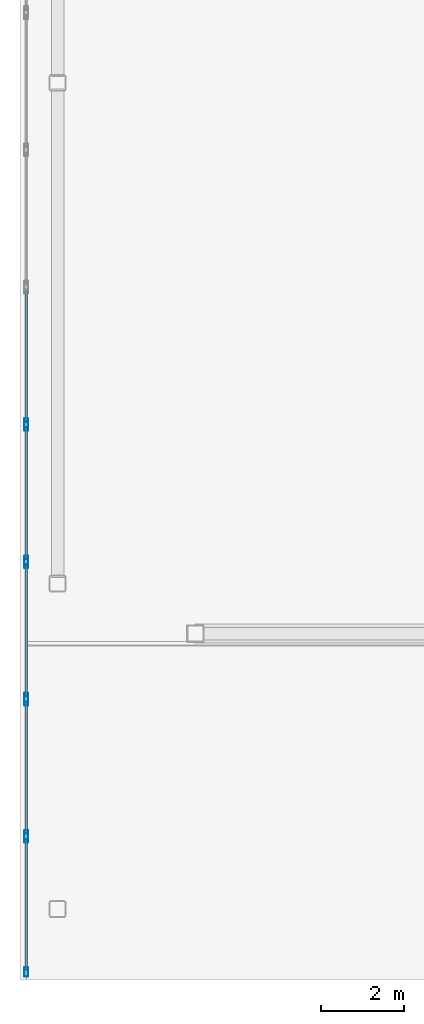
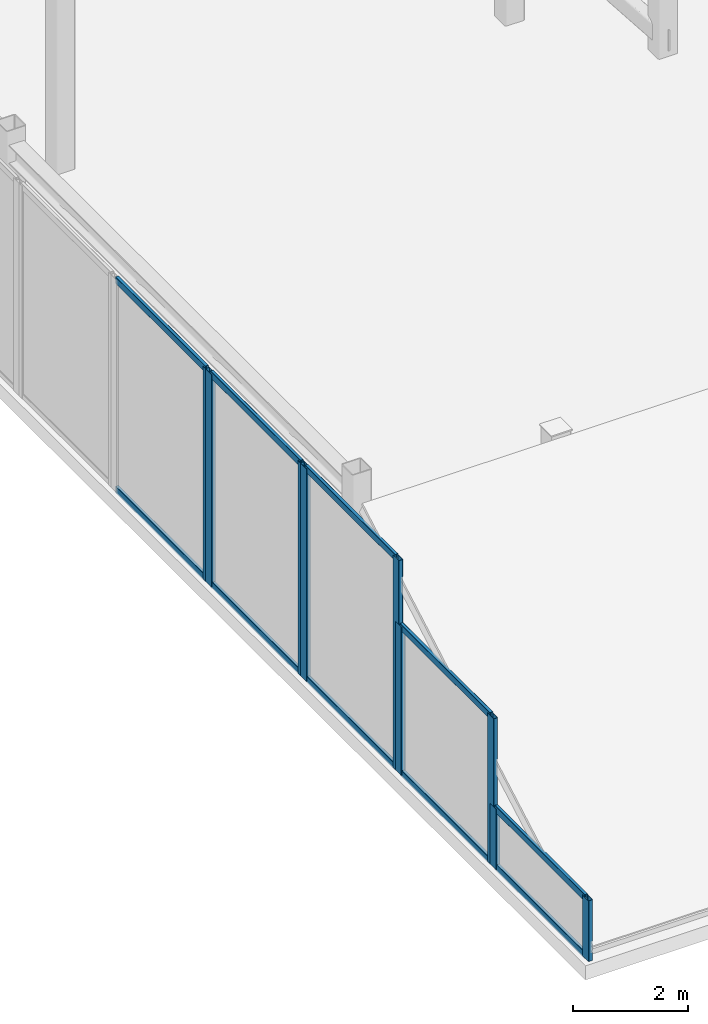
# One storey, part 2 of 15: 19 members, 5 elements without a shape of their own.
"""IFC4 building model written with IfcOpenShell, lengths in metres."""

from ifc_helpers import new_model, si_unit, direction, frame, origin, origin_2d, place, context, subcontext, project, spatial, hollow_rectangle, extrude, material, layer, layer_set, material_profile, profile_set, type_object, element, aggregate, save


model = new_model("IFC4")

# Units and contexts
model_context = context("Model", 3, precision=1e-05, world=origin(), true_north=direction((0.0, 1.0)))
body_context = subcontext(model_context, "Body", "Model", "MODEL_VIEW")
ifc_project = project(units=[si_unit("LENGTHUNIT", "METRE"), si_unit("AREAUNIT", "SQUARE_METRE"), si_unit("VOLUMEUNIT", "CUBIC_METRE"), si_unit("PLANEANGLEUNIT", "RADIAN"), si_unit("MASSUNIT", "GRAM", prefix="KILO")], contexts=[model_context])

# Site, building, storey
site_placement = place(None, origin())
site = spatial("IfcSite", under=ifc_project, at=site_placement, CompositionType="ELEMENT")
building_placement = place(site_placement, origin())
building = spatial("IfcBuilding", under=site, at=building_placement, Name="Tarnavaz Court Tower", CompositionType="ELEMENT")
storey_placement = place(building_placement, frame((0.0, 0.0, 295.050048828125)))
storey = spatial("IfcBuildingStorey", under=building, at=storey_placement, Name="C04", CompositionType="ELEMENT", Elevation=295.050048828125)

# Curtain wall, members
ifc_material_1 = material(Name="Anodised Aluminium 6063-T6 and Solar Low-E Glazing", Category="aluminium")
ifc_layer = layer(ifc_material_1, 0.2099609375)
ifc_layer_set = layer_set([ifc_layer], Name="Anodised Aluminium 6063-T6 and Solar Low-E Glazing")
curtain_wall_type = type_object("IfcCurtainWallType", Name="CW-SYS-06", PredefinedType="NOTDEFINED", material=ifc_layer_set)
curtain_wall_1_placement = place(storey_placement, origin())
curtain_wall_1 = element("IfcCurtainWall", 1, at=curtain_wall_1_placement, inside=storey, type_object=curtain_wall_type, Name="C04 Slanted Crown Terracotta Curtain Wall 20", PredefinedType="NOTDEFINED")
ifc_material_2 = material(Name="Anodised Aluminium 6063-T6", Category="aluminium")
ifc_material_profile_1 = material_profile(ifc_material_2, hollow_rectangle(XDim=0.0849609375, YDim=0.219970703125, WallThickness=0.006103515625, InnerFilletRadius=0.006103515625, OuterFilletRadius=0.011962890625, at=origin_2d()), Name="ALU RHS 220X85X6")
ifc_profile_set_1 = profile_set([ifc_material_profile_1], Name="Anodised Aluminium 6063-T6")
member_type_1 = type_object("IfcMemberType", Name="CW-MUL-220", PredefinedType="MULLION", material=ifc_profile_set_1)
member_1_placement = place(storey_placement, frame((-22.64990234375, -15.3076171875, 0.0), z_axis=(0.0, 0.0, 1.0), x_axis=(-1.0, 0.0, 0.0)))
member_1 = element("IfcMember", 2, at=member_1_placement, type_object=member_type_1, Name="CW mullion 1", PredefinedType="MULLION", context=body_context, shape_type="SweptSolid", body=[
    extrude(hollow_rectangle(XDim=0.0849609375, YDim=0.219970703125, WallThickness=0.006103515625, InnerFilletRadius=0.006103515625, OuterFilletRadius=0.011962890625, at=origin_2d()), origin(), (0.0, 0.0, 1.0), 1.283935546875),
])
member_2_placement = place(storey_placement, frame((-22.64990234375, -12.1025390625, 0.0), z_axis=(0.0, 0.0, 1.0), x_axis=(-1.0, 0.0, 0.0)))
member_2 = element("IfcMember", 3, at=member_2_placement, type_object=member_type_1, Name="CW mullion 2", PredefinedType="MULLION", context=body_context, shape_type="SweptSolid", body=[
    extrude(hollow_rectangle(XDim=0.0849609375, YDim=0.219970703125, WallThickness=0.006103515625, InnerFilletRadius=0.006103515625, OuterFilletRadius=0.011962890625, at=origin_2d()), origin(), (0.0, 0.0, 1.0), 1.283935546875),
])

curtain_wall_2_placement = place(storey_placement, origin())
curtain_wall_2 = element("IfcCurtainWall", 4, at=curtain_wall_2_placement, inside=storey, type_object=curtain_wall_type, Name="C04 Slanted Crown Terracotta Curtain Wall 21", PredefinedType="NOTDEFINED")
member_3_placement = place(storey_placement, frame((-22.64990234375, -12.017578125, 0.0), z_axis=(0.0, 0.0, 1.0), x_axis=(-1.0, 0.0, 0.0)))
member_3 = element("IfcMember", 5, at=member_3_placement, type_object=member_type_1, Name="CW mullion 1", PredefinedType="MULLION", context=body_context, shape_type="SweptSolid", body=[
    extrude(hollow_rectangle(XDim=0.0849609375, YDim=0.219970703125, WallThickness=0.006103515625, InnerFilletRadius=0.006103515625, OuterFilletRadius=0.011962890625, at=origin_2d()), origin(), (0.0, 0.0, 1.0), 3.14453125),
])
member_4_placement = place(storey_placement, frame((-22.64990234375, -8.8125, 0.0), z_axis=(0.0, 0.0, 1.0), x_axis=(-1.0, 0.0, 0.0)))
member_4 = element("IfcMember", 6, at=member_4_placement, type_object=member_type_1, Name="CW mullion 2", PredefinedType="MULLION", context=body_context, shape_type="SweptSolid", body=[
    extrude(hollow_rectangle(XDim=0.0849609375, YDim=0.219970703125, WallThickness=0.006103515625, InnerFilletRadius=0.006103515625, OuterFilletRadius=0.011962890625, at=origin_2d()), origin(), (0.0, 0.0, 1.0), 3.14453125),
])

curtain_wall_3_placement = place(storey_placement, origin())
curtain_wall_3 = element("IfcCurtainWall", 7, at=curtain_wall_3_placement, inside=storey, type_object=curtain_wall_type, Name="C04 Slanted Crown Terracotta Curtain Wall 22", PredefinedType="NOTDEFINED")
member_5_placement = place(storey_placement, frame((-22.64990234375, -8.7275390625, 0.0), z_axis=(0.0, 0.0, 1.0), x_axis=(-1.0, 0.0, 0.0)))
member_5 = element("IfcMember", 8, at=member_5_placement, type_object=member_type_1, Name="CW mullion 1", PredefinedType="MULLION", context=body_context, shape_type="SweptSolid", body=[
    extrude(hollow_rectangle(XDim=0.0849609375, YDim=0.219970703125, WallThickness=0.006103515625, InnerFilletRadius=0.006103515625, OuterFilletRadius=0.011962890625, at=origin_2d()), origin(), (0.0, 0.0, 1.0), 4.5),
])
member_6_placement = place(storey_placement, frame((-22.64990234375, -5.5224609375, 0.0), z_axis=(0.0, 0.0, 1.0), x_axis=(-1.0, 0.0, 0.0)))
member_6 = element("IfcMember", 9, at=member_6_placement, type_object=member_type_1, Name="CW mullion 2", PredefinedType="MULLION", context=body_context, shape_type="SweptSolid", body=[
    extrude(hollow_rectangle(XDim=0.0849609375, YDim=0.219970703125, WallThickness=0.006103515625, InnerFilletRadius=0.006103515625, OuterFilletRadius=0.011962890625, at=origin_2d()), origin(), (0.0, 0.0, 1.0), 4.5),
])

curtain_wall_4_placement = place(storey_placement, origin())
curtain_wall_4 = element("IfcCurtainWall", 10, at=curtain_wall_4_placement, inside=storey, type_object=curtain_wall_type, Name="C04 Slanted Crown Terracotta Curtain Wall 23", PredefinedType="NOTDEFINED")
member_7_placement = place(storey_placement, frame((-22.64990234375, -5.4375, 0.0), z_axis=(0.0, 0.0, 1.0), x_axis=(-1.0, 0.0, 0.0)))
member_7 = element("IfcMember", 11, at=member_7_placement, type_object=member_type_1, Name="CW mullion 1", PredefinedType="MULLION", context=body_context, shape_type="SweptSolid", body=[
    extrude(hollow_rectangle(XDim=0.0849609375, YDim=0.219970703125, WallThickness=0.006103515625, InnerFilletRadius=0.006103515625, OuterFilletRadius=0.011962890625, at=origin_2d()), origin(), (0.0, 0.0, 1.0), 4.5),
])
member_8_placement = place(storey_placement, frame((-22.64990234375, -2.232421875, 0.0), z_axis=(0.0, 0.0, 1.0), x_axis=(-1.0, 0.0, 0.0)))
member_8 = element("IfcMember", 12, at=member_8_placement, type_object=member_type_1, Name="CW mullion 2", PredefinedType="MULLION", context=body_context, shape_type="SweptSolid", body=[
    extrude(hollow_rectangle(XDim=0.0849609375, YDim=0.219970703125, WallThickness=0.006103515625, InnerFilletRadius=0.006103515625, OuterFilletRadius=0.011962890625, at=origin_2d()), origin(), (0.0, 0.0, 1.0), 4.5),
])

# Curtain wall, member
curtain_wall_5_placement = place(storey_placement, origin())
curtain_wall_5 = element("IfcCurtainWall", 13, at=curtain_wall_5_placement, inside=storey, type_object=curtain_wall_type, Name="C04 Slanted Crown Terracotta Curtain Wall 24", PredefinedType="NOTDEFINED")
member_9_placement = place(storey_placement, frame((-22.64990234375, -2.1474609375, 0.0), z_axis=(0.0, 0.0, 1.0), x_axis=(-1.0, 0.0, 0.0)))
member_9 = element("IfcMember", 14, at=member_9_placement, type_object=member_type_1, Name="CW mullion 1", PredefinedType="MULLION", context=body_context, shape_type="SweptSolid", body=[
    extrude(hollow_rectangle(XDim=0.0849609375, YDim=0.219970703125, WallThickness=0.006103515625, InnerFilletRadius=0.006103515625, OuterFilletRadius=0.011962890625, at=origin_2d()), origin(), (0.0, 0.0, 1.0), 4.5),
])

# Member
ifc_material_profile_2 = material_profile(ifc_material_2, hollow_rectangle(XDim=0.06494140625, YDim=0.139892578125, WallThickness=0.00390625, InnerFilletRadius=0.00390625, OuterFilletRadius=0.008056640625, at=origin_2d()), Name="ALU RHS 140X65X4")
ifc_profile_set_2 = profile_set([ifc_material_profile_2], Name="Anodised Aluminium 6063-T6")
member_type_2 = type_object("IfcMemberType", Name="CW-TRN-140", PredefinedType="USERDEFINED", material=ifc_profile_set_2)
member_10_placement = place(storey_placement, frame((-22.64990234375, -15.264892578125, 0.032470703125), z_axis=(0.0, 1.0, 0.0), x_axis=(-1.0, 0.0, 0.0)))
member_10 = element("IfcMember", 15, at=member_10_placement, type_object=member_type_2, Name="CW transom 1.1", ObjectType="TRANSOM", PredefinedType="USERDEFINED", context=body_context, shape_type="SweptSolid", body=[
    extrude(hollow_rectangle(XDim=0.06494140625, YDim=0.139892578125, WallThickness=0.00390625, InnerFilletRadius=0.00390625, OuterFilletRadius=0.008056640625, at=origin_2d()), origin(), (0.0, 0.0, 1.0), 3.119873046875),
])

member_11_placement = place(storey_placement, frame((-22.64990234375, -15.264892578125, 1.25146484375), z_axis=(0.0, 1.0, 0.0), x_axis=(-1.0, 0.0, 0.0)))
member_11 = element("IfcMember", 16, at=member_11_placement, type_object=member_type_2, Name="CW transom 1.2", ObjectType="TRANSOM", PredefinedType="USERDEFINED", context=body_context, shape_type="SweptSolid", body=[
    extrude(hollow_rectangle(XDim=0.06494140625, YDim=0.139892578125, WallThickness=0.00390625, InnerFilletRadius=0.00390625, OuterFilletRadius=0.008056640625, at=origin_2d()), origin(), (0.0, 0.0, 1.0), 3.119873046875),
])

aggregate(curtain_wall_1, [member_1, member_2, member_10, member_11])

member_12_placement = place(storey_placement, frame((-22.64990234375, -11.97509765625, 0.032470703125), z_axis=(0.0, 1.0, 0.0), x_axis=(-1.0, 0.0, 0.0)))
member_12 = element("IfcMember", 17, at=member_12_placement, type_object=member_type_2, Name="CW transom 1.1", ObjectType="TRANSOM", PredefinedType="USERDEFINED", context=body_context, shape_type="SweptSolid", body=[
    extrude(hollow_rectangle(XDim=0.06494140625, YDim=0.139892578125, WallThickness=0.00390625, InnerFilletRadius=0.00390625, OuterFilletRadius=0.008056640625, at=origin_2d()), origin(), (0.0, 0.0, 1.0), 3.1201171875),
])

member_13_placement = place(storey_placement, frame((-22.64990234375, -11.97509765625, 3.112060546875), z_axis=(0.0, 1.0, 0.0), x_axis=(-1.0, 0.0, 0.0)))
member_13 = element("IfcMember", 18, at=member_13_placement, type_object=member_type_2, Name="CW transom 1.2", ObjectType="TRANSOM", PredefinedType="USERDEFINED", context=body_context, shape_type="SweptSolid", body=[
    extrude(hollow_rectangle(XDim=0.06494140625, YDim=0.139892578125, WallThickness=0.00390625, InnerFilletRadius=0.00390625, OuterFilletRadius=0.008056640625, at=origin_2d()), origin(), (0.0, 0.0, 1.0), 3.1201171875),
])

aggregate(curtain_wall_2, [member_3, member_4, member_12, member_13])

member_14_placement = place(storey_placement, frame((-22.64990234375, -8.68505859375, 0.032470703125), z_axis=(0.0, 1.0, 0.0), x_axis=(-1.0, 0.0, 0.0)))
member_14 = element("IfcMember", 19, at=member_14_placement, type_object=member_type_2, Name="CW transom 1.1", ObjectType="TRANSOM", PredefinedType="USERDEFINED", context=body_context, shape_type="SweptSolid", body=[
    extrude(hollow_rectangle(XDim=0.06494140625, YDim=0.139892578125, WallThickness=0.00390625, InnerFilletRadius=0.00390625, OuterFilletRadius=0.008056640625, at=origin_2d()), origin(), (0.0, 0.0, 1.0), 3.1201171875),
])

member_15_placement = place(storey_placement, frame((-22.64990234375, -8.68505859375, 4.467529296875), z_axis=(0.0, 1.0, 0.0), x_axis=(-1.0, 0.0, 0.0)))
member_15 = element("IfcMember", 20, at=member_15_placement, type_object=member_type_2, Name="CW transom 1.2", ObjectType="TRANSOM", PredefinedType="USERDEFINED", context=body_context, shape_type="SweptSolid", body=[
    extrude(hollow_rectangle(XDim=0.06494140625, YDim=0.139892578125, WallThickness=0.00390625, InnerFilletRadius=0.00390625, OuterFilletRadius=0.008056640625, at=origin_2d()), origin(), (0.0, 0.0, 1.0), 3.1201171875),
])

aggregate(curtain_wall_3, [member_5, member_6, member_14, member_15])

member_16_placement = place(storey_placement, frame((-22.64990234375, -5.39501953125, 0.032470703125), z_axis=(0.0, 1.0, 0.0), x_axis=(-1.0, 0.0, 0.0)))
member_16 = element("IfcMember", 21, at=member_16_placement, type_object=member_type_2, Name="CW transom 1.1", ObjectType="TRANSOM", PredefinedType="USERDEFINED", context=body_context, shape_type="SweptSolid", body=[
    extrude(hollow_rectangle(XDim=0.06494140625, YDim=0.139892578125, WallThickness=0.00390625, InnerFilletRadius=0.00390625, OuterFilletRadius=0.008056640625, at=origin_2d()), origin(), (0.0, 0.0, 1.0), 3.1201171875),
])

member_17_placement = place(storey_placement, frame((-22.64990234375, -5.39501953125, 4.467529296875), z_axis=(0.0, 1.0, 0.0), x_axis=(-1.0, 0.0, 0.0)))
member_17 = element("IfcMember", 22, at=member_17_placement, type_object=member_type_2, Name="CW transom 1.2", ObjectType="TRANSOM", PredefinedType="USERDEFINED", context=body_context, shape_type="SweptSolid", body=[
    extrude(hollow_rectangle(XDim=0.06494140625, YDim=0.139892578125, WallThickness=0.00390625, InnerFilletRadius=0.00390625, OuterFilletRadius=0.008056640625, at=origin_2d()), origin(), (0.0, 0.0, 1.0), 3.1201171875),
])

aggregate(curtain_wall_4, [member_7, member_8, member_16, member_17])

member_18_placement = place(storey_placement, frame((-22.64990234375, -2.10498046875, 0.032470703125), z_axis=(0.0, 1.0, 0.0), x_axis=(-1.0, 0.0, 0.0)))
member_18 = element("IfcMember", 23, at=member_18_placement, type_object=member_type_2, Name="CW transom 1.1", ObjectType="TRANSOM", PredefinedType="USERDEFINED", context=body_context, shape_type="SweptSolid", body=[
    extrude(hollow_rectangle(XDim=0.06494140625, YDim=0.139892578125, WallThickness=0.00390625, InnerFilletRadius=0.00390625, OuterFilletRadius=0.008056640625, at=origin_2d()), origin(), (0.0, 0.0, 1.0), 3.119873046875),
])

member_19_placement = place(storey_placement, frame((-22.64990234375, -2.10498046875, 4.467529296875), z_axis=(0.0, 1.0, 0.0), x_axis=(-1.0, 0.0, 0.0)))
member_19 = element("IfcMember", 24, at=member_19_placement, type_object=member_type_2, Name="CW transom 1.2", ObjectType="TRANSOM", PredefinedType="USERDEFINED", context=body_context, shape_type="SweptSolid", body=[
    extrude(hollow_rectangle(XDim=0.06494140625, YDim=0.139892578125, WallThickness=0.00390625, InnerFilletRadius=0.00390625, OuterFilletRadius=0.008056640625, at=origin_2d()), origin(), (0.0, 0.0, 1.0), 3.119873046875),
])

aggregate(curtain_wall_5, [member_9, member_18, member_19])

save(model, "model.ifc")
